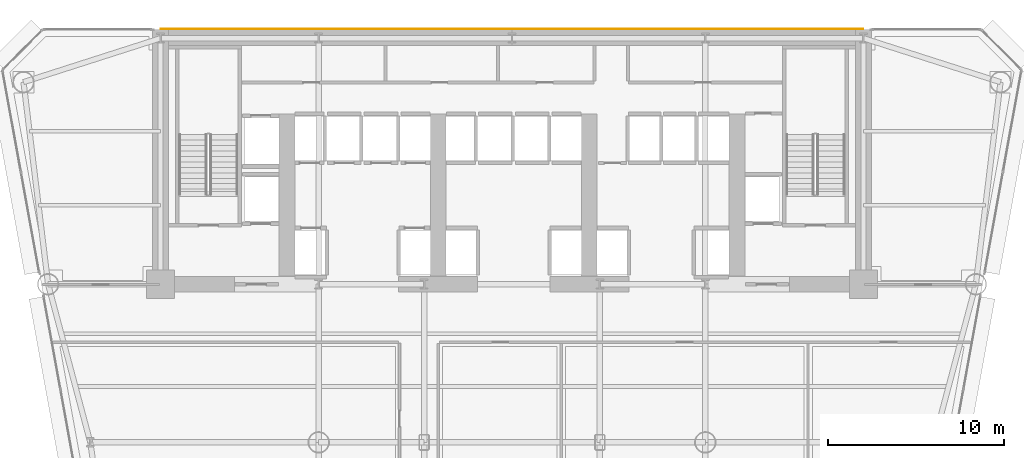
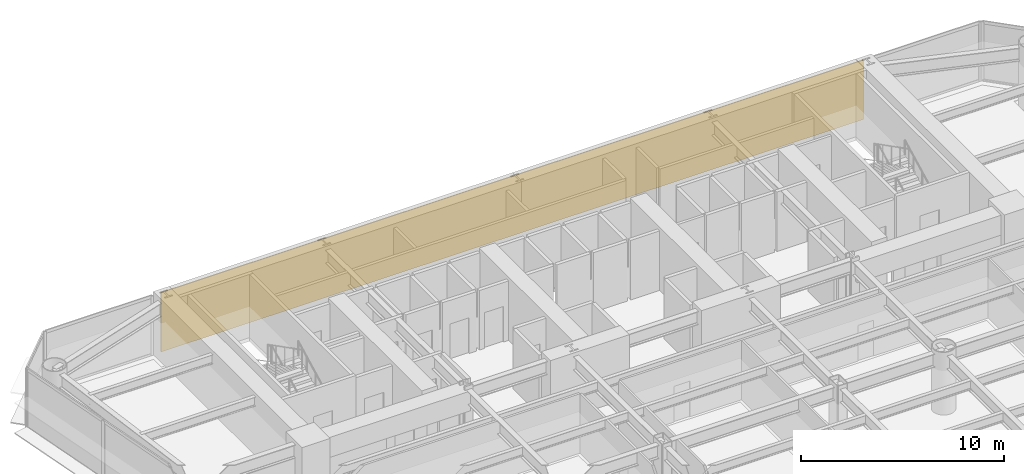
# One storey, part 13 of 14: 1 covering.
"""IFC4 building model written with IfcOpenShell, lengths in metres."""

import ifcopenshell
import ifcopenshell.guid

model = None  # the IFC model being written
_history = None  # IfcOwnerHistory: only IFC2X3 demands one
_inside = {}  # id of a spatial element -> (the spatial element, [elements in it])
_under = {}  # id of a project, library or spatial element -> (it, [spatial elements below it])
_declared = {}  # id of a project -> (the project, [libraries it declares])
_typed = {}  # id of a type object -> (the type object, [elements of that type])
_made_of = {}  # id of a material, layer set ... -> (it, [elements and type objects made of it])


def new_model(schema):
    """Start an empty IFC model of exactly this schema.

    Asked for "IFC4X3", IfcOpenShell would pick the latest addendum, in which some entities
    have other attributes; the version numbers below select the first issue.
    IFC2X3 requires an IfcOwnerHistory on every rooted entity: one is made here for all.
    """
    global model, _history
    if schema == "IFC4X3":
        model = ifcopenshell.file(schema_version=(4, 3, 0, 0))
    else:
        model = ifcopenshell.file(schema=schema)
    _inside.clear()
    _under.clear()
    _declared.clear()
    _typed.clear()
    _made_of.clear()
    _history = None
    if model.schema == "IFC2X3":
        org = make("IfcOrganization", Name="unknown")
        user = make(
            "IfcPersonAndOrganization",
            ThePerson=make("IfcPerson", FamilyName="unknown"),
            TheOrganization=org,
        )
        app = make(
            "IfcApplication",
            ApplicationDeveloper=org,
            Version="unknown",
            ApplicationFullName="unknown",
            ApplicationIdentifier="unknown",
        )
        _history = make(
            "IfcOwnerHistory",
            OwningUser=user,
            OwningApplication=app,
            ChangeAction="ADDED",
            CreationDate=0,
        )
    return model


def make(cls, **values):
    """One entity of the class cls with the attributes given. An attribute that is None is left unset."""
    return model.create_entity(
        cls, **{name: value for name, value in values.items() if value is not None}
    )


def rooted(cls, **values):
    """An entity with a GlobalId (a new one), such as an element, a storey or a relation."""
    return make(cls, GlobalId=ifcopenshell.guid.new(), OwnerHistory=_history, **values)


def si_unit(unit_type, name, prefix=None):
    """IfcSIUnit, for example si_unit("LENGTHUNIT", "METRE", prefix="MILLI")."""
    return make("IfcSIUnit", UnitType=unit_type, Prefix=prefix, Name=name)


def assignment(units):
    """IfcUnitAssignment: the units of a project."""
    return None if units is None else make("IfcUnitAssignment", Units=units)


def point(xyz):
    """IfcCartesianPoint."""
    return None if xyz is None else make("IfcCartesianPoint", Coordinates=xyz)


def direction(xyz):
    """IfcDirection."""
    return None if xyz is None else make("IfcDirection", DirectionRatios=xyz)


def frame(location, z_axis=None, x_axis=None):
    """IfcAxis2Placement3D, a coordinate frame: its origin and axes. An axis left out is left unset."""
    return make(
        "IfcAxis2Placement3D",
        Location=point(location),
        Axis=direction(z_axis),
        RefDirection=direction(x_axis),
    )


def origin():
    """The frame at (0, 0, 0) with its axes left unset."""
    return frame((0.0, 0.0, 0.0))


def place(relative_to, where):
    """IfcLocalPlacement: puts the frame where relative to a parent placement (None: the world)."""
    return make(
        "IfcLocalPlacement", PlacementRelTo=relative_to, RelativePlacement=where
    )


def context(
    kind, dimensions, precision=None, world=None, true_north=None, identifier=None
):
    """IfcGeometricRepresentationContext, for example the 3D "Model" context."""
    return make(
        "IfcGeometricRepresentationContext",
        ContextIdentifier=identifier,
        ContextType=kind,
        CoordinateSpaceDimension=dimensions,
        Precision=precision,
        WorldCoordinateSystem=world,
        TrueNorth=true_north,
    )


def subcontext(parent, identifier, kind, view, scale=None):
    """IfcGeometricRepresentationSubContext, for example "Body" below "Model"."""
    return make(
        "IfcGeometricRepresentationSubContext",
        ContextIdentifier=identifier,
        ContextType=kind,
        ParentContext=parent,
        TargetScale=scale,
        TargetView=view,
    )


def project(units=None, contexts=None):
    """IfcProject with its units and contexts."""
    return rooted(
        "IfcProject",
        Name="project",
        RepresentationContexts=contexts,
        UnitsInContext=assignment(units),
    )


def spatial(cls, under=None, at=None, **own):
    """A site, building, storey or space (cls), placed at a placement, below another one or the project."""
    s = rooted(cls, ObjectPlacement=at, **own)
    if under is not None:
        _under.setdefault(under.id(), (under, []))[1].append(s)
    return s


def polyline(points):
    """IfcPolyline through the points."""
    return make("IfcPolyline", Points=[point(p) for p in points])


def outline(outer, holes=None, kind="AREA"):
    """IfcArbitraryClosedProfileDef: a profile drawn as a closed curve; with holes, ...WithVoids."""
    if holes is None:
        return make("IfcArbitraryClosedProfileDef", ProfileType=kind, OuterCurve=outer)
    return make(
        "IfcArbitraryProfileDefWithVoids",
        ProfileType=kind,
        OuterCurve=outer,
        InnerCurves=holes,
    )


def extrude(swept, where, along, depth):
    """IfcExtrudedAreaSolid: the profile swept, set in the frame where, extruded along a direction by depth."""
    return make(
        "IfcExtrudedAreaSolid",
        SweptArea=swept,
        Position=where,
        ExtrudedDirection=direction(along),
        Depth=depth,
    )


def shape(context_of_items, identifier, shape_type, items):
    """IfcShapeRepresentation: the items that make up one representation, for example the "Body"."""
    return make(
        "IfcShapeRepresentation",
        ContextOfItems=context_of_items,
        RepresentationIdentifier=identifier,
        RepresentationType=shape_type,
        Items=items,
    )


def material(Name=None, Category=None):
    """IfcMaterial."""
    return make("IfcMaterial", Name=Name, Category=Category)


def layer(
    of_material, thickness, ventilated=None, Name=None, Category=None, Priority=None
):
    """IfcMaterialLayer: one layer of a wall or slab, of a material (None: an air gap)."""
    return make(
        "IfcMaterialLayer",
        Material=of_material,
        LayerThickness=thickness,
        IsVentilated=ventilated,
        Name=Name,
        Category=Category,
        Priority=Priority,
    )


def layer_set(layers, Name=None):
    """IfcMaterialLayerSet."""
    return make("IfcMaterialLayerSet", MaterialLayers=layers, LayerSetName=Name)


def made_of(thing, what):
    """Note that an element or type object is made of a material, layer set ...; save() writes the relation."""
    if what is not None:
        _made_of.setdefault(what.id(), (what, []))[1].append(thing)
    return thing


def type_object(cls, material=None, **own):
    """A type object (cls), such as IfcWallType, which elements share."""
    return made_of(rooted(cls, **own), material)


def element(
    cls,
    number,
    at=None,
    inside=None,
    cuts=None,
    type_object=None,
    material=None,
    context=None,
    identifier="Body",
    shape_type=None,
    held_by="IfcProductDefinitionShape",
    body=None,
    shapes=None,
    **own,
):
    """One element of the class cls, such as IfcWall. Its Tag is "e" and its number.

    at: its placement. inside: the storey or other place that contains it. cuts: it is an
    opening in that element (IfcRelVoidsElement). A single representation is given by context,
    identifier, shape_type and body (its items); several are given by shapes. held_by: the class
    of the entity that holds the representations. save() writes the other relations.
    """
    e = rooted(cls, Tag="e%d" % number, ObjectPlacement=at, **own)
    if body is not None:
        shapes = [shape(context, identifier, shape_type, body)]
    if shapes is not None:
        e.Representation = make(held_by, Representations=shapes)
    if inside is not None:
        _inside.setdefault(inside.id(), (inside, []))[1].append(e)
    if cuts is not None:
        rooted(
            "IfcRelVoidsElement", RelatingBuildingElement=cuts, RelatedOpeningElement=e
        )
    if type_object is not None:
        _typed.setdefault(type_object.id(), (type_object, []))[1].append(e)
    return made_of(e, material)


def aggregate(whole, parts):
    """IfcRelAggregates: a whole, such as a stair, and the parts it consists of."""
    return rooted("IfcRelAggregates", RelatingObject=whole, RelatedObjects=parts)


def save(model, path):
    """Write the relations noted so far, then the file.

    IfcRelAggregates (storeys below a building ...), IfcRelContainedInSpatialStructure (elements
    in a storey), IfcRelDefinesByType, IfcRelAssociatesMaterial and IfcRelDeclares: one each for
    every whole, place, type object, material and project.
    """
    for whole, parts in _under.values():
        aggregate(whole, parts)
    for where, things in _inside.values():
        rooted(
            "IfcRelContainedInSpatialStructure",
            RelatedElements=things,
            RelatingStructure=where,
        )
    for kind, things in _typed.values():
        rooted("IfcRelDefinesByType", RelatedObjects=things, RelatingType=kind)
    for what, things in _made_of.values():
        rooted("IfcRelAssociatesMaterial", RelatedObjects=things, RelatingMaterial=what)
    for by, libraries in _declared.values():
        rooted("IfcRelDeclares", RelatingContext=by, RelatedDefinitions=libraries)
    model.write(path)


model = new_model("IFC4")

# Units and contexts
model_context = context("Model", 3, precision=1e-05, world=origin(), true_north=direction((0.0, 1.0)))
body_context = subcontext(model_context, "Body", "Model", "MODEL_VIEW")
ifc_project = project(units=[si_unit("LENGTHUNIT", "METRE"), si_unit("AREAUNIT", "SQUARE_METRE"), si_unit("VOLUMEUNIT", "CUBIC_METRE"), si_unit("PLANEANGLEUNIT", "RADIAN"), si_unit("MASSUNIT", "GRAM", prefix="KILO")], contexts=[model_context])

# Site, building, storey
site_placement = place(None, origin())
site = spatial("IfcSite", under=ifc_project, at=site_placement, CompositionType="ELEMENT")
building_placement = place(site_placement, origin())
building = spatial("IfcBuilding", under=site, at=building_placement, Name="Vaeldorn Concourse Tower", CompositionType="ELEMENT")
storey_placement = place(building_placement, frame((0.0, 0.0, 41.60009765625)))
storey = spatial("IfcBuildingStorey", under=building, at=storey_placement, Name="L10", CompositionType="ELEMENT", Elevation=41.60009765625)

# Covering
ifc_material = material(Name="Anodised Bronze Aluminium", Category="aluminium")
ifc_layer = layer(ifc_material, 0.050048828125)
ifc_layer_set = layer_set([ifc_layer], Name="Anodised Bronze Aluminium")
covering_type = type_object("IfcCoveringType", Name="COV-CLAD-BRONZE", PredefinedType="CLADDING", material=ifc_layer_set)
covering_placement = place(storey_placement, origin())
element("IfcCovering", 1, at=covering_placement, inside=storey, type_object=covering_type, Name="Rear Core Bronze Spandrel Cladding L10", PredefinedType="CLADDING", context=body_context, shape_type="SweptSolid", body=[
    extrude(outline(polyline([(14.0, 51.0), (54.0, 51.0), (54.0, 51.050048828125), (14.0, 51.050048828125), (14.0, 51.0)])), origin(), (0.0, 0.0, 1.0), 3.579833984375),
])

save(model, "model.ifc")
